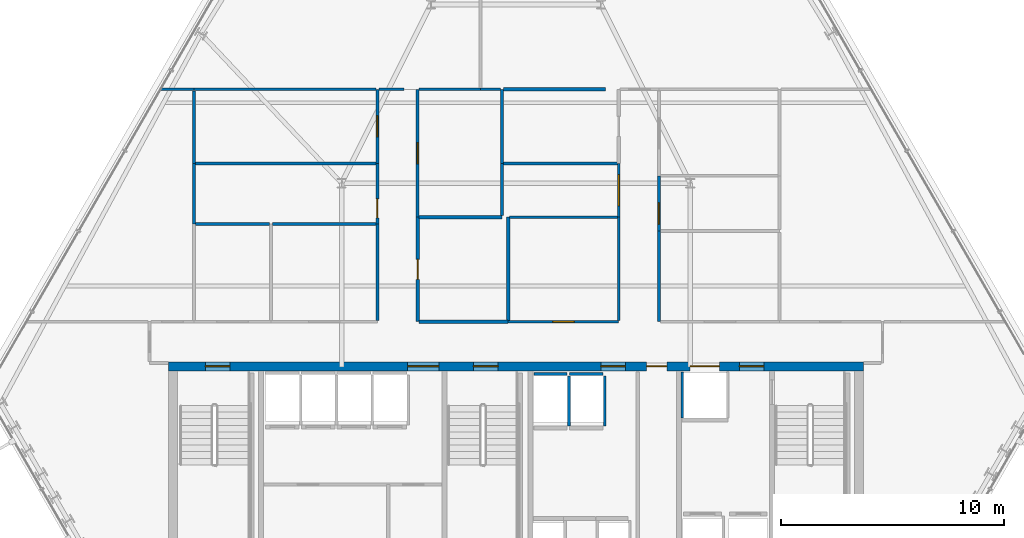
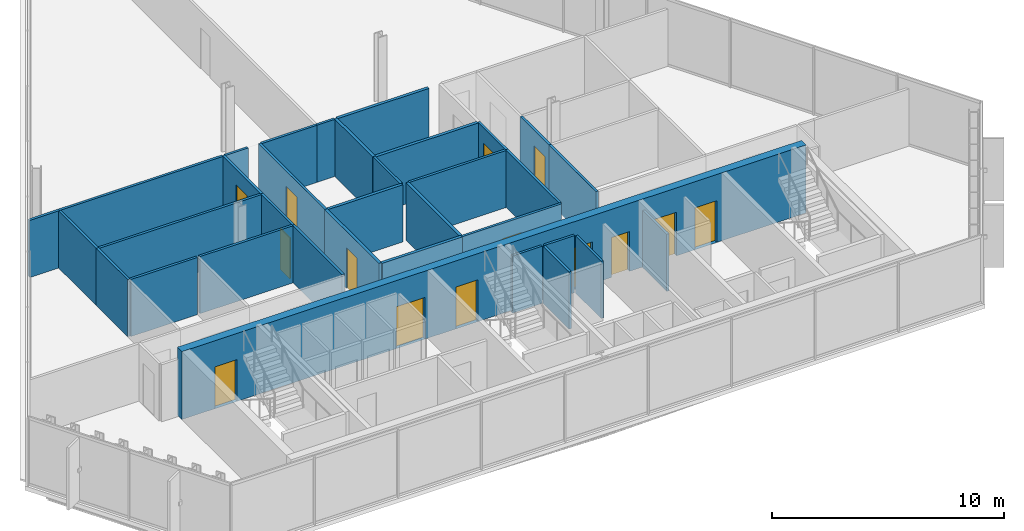
# One storey, part 29 of 35: 34 walls, 14 doors, 14 openings.
"""IFC4 building model written with IfcOpenShell, lengths in metres."""

from ifc_helpers import new_model, si_unit, direction, frame, frame_2d, origin, place, context, subcontext, project, spatial, rectangle, extrude, material, layer, layer_set, type_object, element, fill, save


model = new_model("IFC4")

# Units and contexts
model_context = context("Model", 3, precision=1e-05, world=origin(), true_north=direction((0.0, 1.0)))
body_context = subcontext(model_context, "Body", "Model", "MODEL_VIEW")
ifc_project = project(units=[si_unit("LENGTHUNIT", "METRE"), si_unit("AREAUNIT", "SQUARE_METRE"), si_unit("VOLUMEUNIT", "CUBIC_METRE"), si_unit("PLANEANGLEUNIT", "RADIAN"), si_unit("MASSUNIT", "GRAM", prefix="KILO")], contexts=[model_context])

# Site, building, storey
site_placement = place(None, origin())
site = spatial("IfcSite", under=ifc_project, at=site_placement, CompositionType="ELEMENT")
building_placement = place(site_placement, origin())
building = spatial("IfcBuilding", under=site, at=building_placement, Name="Ndaravel Arena Tower", CompositionType="ELEMENT")
storey_placement = place(building_placement, frame((0.0, 0.0, 172.60009765625)))
storey = spatial("IfcBuildingStorey", under=building, at=storey_placement, Name="L41", CompositionType="ELEMENT", Elevation=172.60009765625)

# Wall, openings, doors
ifc_material_1 = material(Name="Concrete C50/60", Category="concrete")
ifc_layer_1 = layer(ifc_material_1, 0.39990234375)
ifc_layer_set_1 = layer_set([ifc_layer_1], Name="Concrete C50/60")
wall_type_1 = type_object("IfcWallType", Name="WALL-CORE-400", PredefinedType="SOLIDWALL", material=ifc_layer_set_1)
wall_1_placement = place(storey_placement, frame((26.449951171875, 15.0, 0.0), z_axis=(0.0, 0.0, 1.0), x_axis=(1.0, 0.0, 0.0)))
wall_1 = element("IfcWall", 1, at=wall_1_placement, inside=storey, type_object=wall_type_1, Name="L41 Core North Shear Wall", PredefinedType="SOLIDWALL", context=body_context, shape_type="SweptSolid", body=[
    extrude(rectangle(XDim=31.10009765625, YDim=0.39990234375, at=frame_2d((15.550048828125, 0.0))), origin(), (0.0, 0.0, 1.0), 3.579833984375),
])
opening_1_placement = place(wall_1_placement, frame((1.64990234375, 0.0, 0.0)))
opening_1 = element("IfcOpeningElement", 2, at=opening_1_placement, cuts=wall_1, Name="Opening FD-01", PredefinedType="OPENING", context=body_context, shape_type="SweptSolid", body=[
    extrude(rectangle(XDim=1.10009765625, YDim=2.199951171875, at=frame_2d((0.550048828125, 1.10009765625))), frame((0.0, 0.199951171875, 0.0), z_axis=(0.0, -1.0, 0.0), x_axis=(1.0, 0.0, 0.0)), (0.0, 0.0, 1.0), 0.39990234375),
])
opening_2_placement = place(wall_1_placement, frame((13.64990234375, 0.0, 0.0)))
opening_2 = element("IfcOpeningElement", 3, at=opening_2_placement, cuts=wall_1, Name="Opening FD-01", PredefinedType="OPENING", context=body_context, shape_type="SweptSolid", body=[
    extrude(rectangle(XDim=1.10009765625, YDim=2.199951171875, at=frame_2d((0.550048828125, 1.10009765625))), frame((0.0, 0.199951171875, 0.0), z_axis=(0.0, -1.0, 0.0), x_axis=(1.0, 0.0, 0.0)), (0.0, 0.0, 1.0), 0.39990234375),
])
opening_3_placement = place(wall_1_placement, frame((25.550048828125, 0.0, 0.0)))
opening_3 = element("IfcOpeningElement", 4, at=opening_3_placement, cuts=wall_1, Name="Opening FD-01", PredefinedType="OPENING", context=body_context, shape_type="SweptSolid", body=[
    extrude(rectangle(XDim=1.10009765625, YDim=2.199951171875, at=frame_2d((0.550048828125, 1.10009765625))), frame((0.0, 0.199951171875, 0.0), z_axis=(0.0, -1.0, 0.0), x_axis=(1.0, 0.0, 0.0)), (0.0, 0.0, 1.0), 0.39990234375),
])
opening_4_placement = place(wall_1_placement, frame((10.699951171875, 0.0, 0.0)))
opening_4 = element("IfcOpeningElement", 5, at=opening_4_placement, cuts=wall_1, Name="Opening ID-02", PredefinedType="OPENING", context=body_context, shape_type="SweptSolid", body=[
    extrude(rectangle(XDim=1.39990234375, YDim=2.199951171875, at=frame_2d((0.699951171875, 1.10009765625))), frame((0.0, 0.199951171875, 0.0), z_axis=(0.0, -1.0, 0.0), x_axis=(1.0, 0.0, 0.0)), (0.0, 0.0, 1.0), 0.39990234375),
])
opening_5_placement = place(wall_1_placement, frame((19.35009765625, 0.0, 0.0)))
opening_5 = element("IfcOpeningElement", 6, at=opening_5_placement, cuts=wall_1, Name="Opening FD-01", PredefinedType="OPENING", context=body_context, shape_type="SweptSolid", body=[
    extrude(rectangle(XDim=1.10009765625, YDim=2.199951171875, at=frame_2d((0.550048828125, 1.10009765625))), frame((0.0, 0.199951171875, 0.0), z_axis=(0.0, -1.0, 0.0), x_axis=(1.0, 0.0, 0.0)), (0.0, 0.0, 1.0), 0.39990234375),
])
opening_6_placement = place(wall_1_placement, frame((21.39990234375, 0.0, 0.0)))
opening_6 = element("IfcOpeningElement", 7, at=opening_6_placement, cuts=wall_1, Name="Opening RD-01", PredefinedType="OPENING", context=body_context, shape_type="SweptSolid", body=[
    extrude(rectangle(XDim=0.89990234375, YDim=2.10009765625, at=frame_2d((0.449951171875, 1.050048828125))), frame((0.0, 0.199951171875, 0.0), z_axis=(0.0, -1.0, 0.0), x_axis=(1.0, 0.0, 0.0)), (0.0, 0.0, 1.0), 0.39990234375),
])
opening_7_placement = place(wall_1_placement, frame((23.35009765625, 0.0, 0.0)))
opening_7 = element("IfcOpeningElement", 8, at=opening_7_placement, cuts=wall_1, Name="Opening LD-02", PredefinedType="OPENING", context=body_context, shape_type="SweptSolid", body=[
    extrude(rectangle(XDim=1.300048828125, YDim=2.300048828125, at=frame_2d((0.64990234375, 1.14990234375))), frame((0.0, 0.199951171875, 0.0), z_axis=(0.0, -1.0, 0.0), x_axis=(1.0, 0.0, 0.0)), (0.0, 0.0, 1.0), 0.39990234375),
])
ifc_material_2 = material(Name="Steel S355", Category="steel")
door_type_1 = type_object("IfcDoorType", Name="DT-01-STAIR-1100", OperationType="SINGLE_SWING_LEFT", PredefinedType="DOOR", material=ifc_material_2)
door_1_placement = place(opening_1_placement, origin())
door_1 = element("IfcDoor", 9, at=door_1_placement, inside=storey, type_object=door_type_1, Name="L41 Exit Stair ST-1 Door", OperationType="SINGLE_SWING_RIGHT", OverallHeight=2.199951171875, OverallWidth=1.10009765625, PredefinedType="DOOR", context=body_context, shape_type="SweptSolid", body=[
    extrude(rectangle(XDim=1.10009765625, YDim=2.199951171875, at=frame_2d((0.550048828125, 1.10009765625))), frame((0.0, 0.02490234375, 0.0), z_axis=(0.0, -1.0, 0.0), x_axis=(1.0, 0.0, 0.0)), (0.0, 0.0, 1.0), 0.050048828125),
])
fill(opening_1, door_1)
door_2_placement = place(opening_2_placement, origin())
door_2 = element("IfcDoor", 10, at=door_2_placement, inside=storey, type_object=door_type_1, Name="L41 Exit Stair ST-2 Door", OperationType="SINGLE_SWING_LEFT", OverallHeight=2.199951171875, OverallWidth=1.10009765625, PredefinedType="DOOR", context=body_context, shape_type="SweptSolid", body=[
    extrude(rectangle(XDim=1.10009765625, YDim=2.199951171875, at=frame_2d((0.550048828125, 1.10009765625))), frame((0.0, 0.02490234375, 0.0), z_axis=(0.0, -1.0, 0.0), x_axis=(1.0, 0.0, 0.0)), (0.0, 0.0, 1.0), 0.050048828125),
])
fill(opening_2, door_2)
door_3_placement = place(opening_3_placement, origin())
door_3 = element("IfcDoor", 11, at=door_3_placement, inside=storey, type_object=door_type_1, Name="L41 Firefighting Lift Lobby Door", OperationType="SINGLE_SWING_RIGHT", OverallHeight=2.199951171875, OverallWidth=1.10009765625, PredefinedType="DOOR", context=body_context, shape_type="SweptSolid", body=[
    extrude(rectangle(XDim=1.10009765625, YDim=2.199951171875, at=frame_2d((0.550048828125, 1.10009765625))), frame((0.0, 0.02490234375, 0.0), z_axis=(0.0, -1.0, 0.0), x_axis=(1.0, 0.0, 0.0)), (0.0, 0.0, 1.0), 0.050048828125),
])
fill(opening_3, door_3)
door_4_placement = place(opening_5_placement, origin())
door_4 = element("IfcDoor", 12, at=door_4_placement, inside=storey, type_object=door_type_1, Name="L41 Express Lift Lobby Entry Door", OperationType="SINGLE_SWING_LEFT", OverallHeight=2.199951171875, OverallWidth=1.10009765625, PredefinedType="DOOR", context=body_context, shape_type="SweptSolid", body=[
    extrude(rectangle(XDim=1.10009765625, YDim=2.199951171875, at=frame_2d((0.550048828125, 1.10009765625))), frame((0.0, 0.02490234375, 0.0), z_axis=(0.0, -1.0, 0.0), x_axis=(1.0, 0.0, 0.0)), (0.0, 0.0, 1.0), 0.050048828125),
])
fill(opening_5, door_4)
ifc_material_3 = material(Name="Timber", Category="wood")
door_type_2 = type_object("IfcDoorType", Name="DT-04-SUITE-1400", OperationType="DOUBLE_DOOR_SINGLE_SWING", PredefinedType="DOOR", material=ifc_material_3)
door_5_placement = place(opening_4_placement, origin())
door_5 = element("IfcDoor", 13, at=door_5_placement, inside=storey, type_object=door_type_2, Name="L41 West Lift Lobby Entry Door", OperationType="DOUBLE_DOOR_SINGLE_SWING", OverallHeight=2.199951171875, OverallWidth=1.39990234375, PredefinedType="DOOR", context=body_context, shape_type="SweptSolid", body=[
    extrude(rectangle(XDim=1.39990234375, YDim=2.199951171875, at=frame_2d((0.699951171875, 1.10009765625))), frame((0.0, 0.02490234375, 0.0), z_axis=(0.0, -1.0, 0.0), x_axis=(1.0, 0.0, 0.0)), (0.0, 0.0, 1.0), 0.050048828125),
])
fill(opening_4, door_5)
ifc_material_4 = material(Name="Steel S355", Category="steel")
door_type_3 = type_object("IfcDoorType", Name="DT-07-SVLIFT-1300", OperationType="DOUBLE_DOOR_SLIDING", PredefinedType="DOOR", material=ifc_material_4)
door_6_placement = place(opening_7_placement, origin())
door_6 = element("IfcDoor", 14, at=door_6_placement, inside=storey, type_object=door_type_3, Name="L41 Lift SVL-1 Sliding Landing Door", OperationType="DOUBLE_DOOR_SLIDING", OverallHeight=2.300048828125, OverallWidth=1.300048828125, PredefinedType="DOOR", context=body_context, shape_type="SweptSolid", body=[
    extrude(rectangle(XDim=1.300048828125, YDim=2.300048828125, at=frame_2d((0.64990234375, 1.14990234375))), frame((0.0, 0.02490234375, 0.0), z_axis=(0.0, -1.0, 0.0), x_axis=(1.0, 0.0, 0.0)), (0.0, 0.0, 1.0), 0.050048828125),
])
fill(opening_7, door_6)
ifc_material_5 = material(Name="Steel S355", Category="steel")
door_type_4 = type_object("IfcDoorType", Name="DT-08-RISER-900", OperationType="SINGLE_SWING_LEFT", PredefinedType="DOOR", material=ifc_material_5)
door_7_placement = place(opening_6_placement, origin())
door_7 = element("IfcDoor", 15, at=door_7_placement, inside=storey, type_object=door_type_4, Name="L41 Core Service Riser North Door", OperationType="SINGLE_SWING_LEFT", OverallHeight=2.10009765625, OverallWidth=0.89990234375, PredefinedType="DOOR", context=body_context, shape_type="SweptSolid", body=[
    extrude(rectangle(XDim=0.89990234375, YDim=2.10009765625, at=frame_2d((0.449951171875, 1.050048828125))), frame((0.0, 0.02490234375, 0.0), z_axis=(0.0, -1.0, 0.0), x_axis=(1.0, 0.0, 0.0)), (0.0, 0.0, 1.0), 0.050048828125),
])
fill(opening_6, door_7)

# Wall
ifc_material_6 = material(Name="Gypsum", Category="gypsum")
ifc_layer_2 = layer(ifc_material_6, 0.125)
ifc_layer_set_2 = layer_set([ifc_layer_2], Name="Gypsum")
wall_type_2 = type_object("IfcWallType", Name="WALL-PART-125", PredefinedType="PARTITIONING", material=ifc_layer_set_2)
wall_2_placement = place(storey_placement, frame((35.800048828125, 17.06494140625, 0.0), z_axis=(0.0, 0.0, 1.0), x_axis=(0.0, 1.0, 0.0)))
element("IfcWall", 16, at=wall_2_placement, inside=storey, type_object=wall_type_2, Name="L41 Interior Partition 008", PredefinedType="PARTITIONING", context=body_context, shape_type="SweptSolid", body=[
    extrude(rectangle(XDim=4.302978515625, YDim=0.125, at=frame_2d((2.1513671875, 0.0))), origin(), (0.0, 0.0, 1.0), 3.010498046875),
])

# Wall, opening, door
wall_3_placement = place(storey_placement, frame((35.800048828125, 24.08251953125, 0.0), z_axis=(0.0, 0.0, 1.0), x_axis=(0.0, 1.0, 0.0)))
wall_3 = element("IfcWall", 17, at=wall_3_placement, inside=storey, type_object=wall_type_2, Name="L41 Interior Partition 010", PredefinedType="PARTITIONING", context=body_context, shape_type="SweptSolid", body=[
    extrude(rectangle(XDim=3.3173828125, YDim=0.125, at=frame_2d((1.65869140625, 0.0))), origin(), (0.0, 0.0, 1.0), 3.010498046875),
])
opening_8_placement = place(wall_3_placement, frame((1.183837890625, 0.0, 0.0)))
opening_8 = element("IfcOpeningElement", 18, at=opening_8_placement, cuts=wall_3, Name="Opening ID-01", PredefinedType="OPENING", context=body_context, shape_type="SweptSolid", body=[
    extrude(rectangle(XDim=0.949951171875, YDim=2.199951171875, at=frame_2d((0.47509765625, 1.10009765625))), frame((0.0, 0.0625, 0.0), z_axis=(0.0, -1.0, 0.0), x_axis=(1.0, 0.0, 0.0)), (0.0, 0.0, 1.0), 0.125),
])
ifc_material_7 = material(Name="Timber", Category="wood")
door_type_5 = type_object("IfcDoorType", Name="DT-03-OFFICE-950", OperationType="SINGLE_SWING_LEFT", PredefinedType="DOOR", material=ifc_material_7)
door_8_placement = place(opening_8_placement, origin())
door_8 = element("IfcDoor", 19, at=door_8_placement, inside=storey, type_object=door_type_5, Name="L41 Refreshment Kiosk 6 Door", OperationType="SINGLE_SWING_RIGHT", OverallHeight=2.199951171875, OverallWidth=0.949951171875, PredefinedType="DOOR", context=body_context, shape_type="SweptSolid", body=[
    extrude(rectangle(XDim=0.949951171875, YDim=2.199951171875, at=frame_2d((0.47509765625, 1.10009765625))), frame((0.0, 0.02490234375, 0.0), z_axis=(0.0, -1.0, 0.0), x_axis=(1.0, 0.0, 0.0)), (0.0, 0.0, 1.0), 0.050048828125),
])
fill(opening_8, door_8)

# Wall
wall_4_placement = place(storey_placement, frame((35.864990234375, 27.39990234375, 0.0), z_axis=(0.0, 0.0, 1.0), x_axis=(1.0, 0.0, 0.0)))
element("IfcWall", 20, at=wall_4_placement, inside=storey, type_object=wall_type_2, Name="L41 Interior Partition 011", PredefinedType="PARTITIONING", context=body_context, shape_type="SweptSolid", body=[
    extrude(rectangle(XDim=1.135009765625, YDim=0.125, at=frame_2d((0.5673828125, 0.0))), origin(), (0.0, 0.0, 1.0), 3.010498046875),
])

# Wall, opening, door
wall_5_placement = place(storey_placement, frame((37.60009765625, 27.39990234375, 0.0), z_axis=(0.0, 0.0, 1.0), x_axis=(0.0, -1.0, 0.0)))
wall_5 = element("IfcWall", 21, at=wall_5_placement, inside=storey, type_object=wall_type_2, Name="L41 Interior Partition 012", PredefinedType="PARTITIONING", context=body_context, shape_type="SweptSolid", body=[
    extrude(rectangle(XDim=5.719970703125, YDim=0.125, at=frame_2d((2.85986328125, 0.0))), origin(), (0.0, 0.0, 1.0), 3.010498046875),
])
opening_9_placement = place(wall_5_placement, frame((2.385009765625, 0.0, 0.0)))
opening_9 = element("IfcOpeningElement", 22, at=opening_9_placement, cuts=wall_5, Name="Opening ID-01", PredefinedType="OPENING", context=body_context, shape_type="SweptSolid", body=[
    extrude(rectangle(XDim=0.949951171875, YDim=2.199951171875, at=frame_2d((0.47509765625, 1.10009765625))), frame((0.0, 0.0625, 0.0), z_axis=(0.0, -1.0, 0.0), x_axis=(1.0, 0.0, 0.0)), (0.0, 0.0, 1.0), 0.125),
])
door_9_placement = place(opening_9_placement, origin())
door_9 = element("IfcDoor", 23, at=door_9_placement, inside=storey, type_object=door_type_5, Name="L41 Design Bookshop Boutique 5 Door", OperationType="SINGLE_SWING_RIGHT", OverallHeight=2.199951171875, OverallWidth=0.949951171875, PredefinedType="DOOR", context=body_context, shape_type="SweptSolid", body=[
    extrude(rectangle(XDim=0.949951171875, YDim=2.199951171875, at=frame_2d((0.47509765625, 1.10009765625))), frame((0.0, 0.02490234375, 0.0), z_axis=(0.0, -1.0, 0.0), x_axis=(1.0, 0.0, 0.0)), (0.0, 0.0, 1.0), 0.050048828125),
])
fill(opening_9, door_9)

wall_6_placement = place(storey_placement, frame((41.64990234375, 17.0, 0.0), z_axis=(0.0, 0.0, 1.0), x_axis=(1.0, 0.0, 0.0)))
wall_6 = element("IfcWall", 24, at=wall_6_placement, inside=storey, type_object=wall_type_2, Name="L41 Interior Partition 015", PredefinedType="PARTITIONING", context=body_context, shape_type="SweptSolid", body=[
    extrude(rectangle(XDim=4.9501953125, YDim=0.125, at=frame_2d((2.47509765625, 0.0))), origin(), (0.0, 0.0, 1.0), 3.010498046875),
])
opening_10_placement = place(wall_6_placement, frame((2.0, 0.0, 0.0)))
opening_10 = element("IfcOpeningElement", 25, at=opening_10_placement, cuts=wall_6, Name="Opening ID-01", PredefinedType="OPENING", context=body_context, shape_type="SweptSolid", body=[
    extrude(rectangle(XDim=0.949951171875, YDim=2.199951171875, at=frame_2d((0.47509765625, 1.10009765625))), frame((0.0, 0.0625, 0.0), z_axis=(0.0, -1.0, 0.0), x_axis=(1.0, 0.0, 0.0)), (0.0, 0.0, 1.0), 0.125),
])
door_10_placement = place(opening_10_placement, origin())
door_10 = element("IfcDoor", 26, at=door_10_placement, inside=storey, type_object=door_type_5, Name="L41 Project Seminar Room 3 Door", OperationType="SINGLE_SWING_RIGHT", OverallHeight=2.199951171875, OverallWidth=0.949951171875, PredefinedType="DOOR", context=body_context, shape_type="SweptSolid", body=[
    extrude(rectangle(XDim=0.949951171875, YDim=2.199951171875, at=frame_2d((0.47509765625, 1.10009765625))), frame((0.0, 0.02490234375, 0.0), z_axis=(0.0, -1.0, 0.0), x_axis=(1.0, 0.0, 0.0)), (0.0, 0.0, 1.0), 0.050048828125),
])
fill(opening_10, door_10)

# Wall
wall_7_placement = place(storey_placement, frame((46.60009765625, 17.06494140625, 0.0), z_axis=(0.0, 0.0, 1.0), x_axis=(0.0, 1.0, 0.0)))
element("IfcWall", 27, at=wall_7_placement, inside=storey, type_object=wall_type_2, Name="L41 Interior Partition 016", PredefinedType="PARTITIONING", context=body_context, shape_type="SweptSolid", body=[
    extrude(rectangle(XDim=4.614990234375, YDim=0.125, at=frame_2d((2.3076171875, 0.0))), origin(), (0.0, 0.0, 1.0), 3.010498046875),
])

# Wall, opening, door
wall_8_placement = place(storey_placement, frame((46.60009765625, 21.679931640625, 0.0), z_axis=(0.0, 0.0, 1.0), x_axis=(0.0, 1.0, 0.0)))
wall_8 = element("IfcWall", 28, at=wall_8_placement, inside=storey, type_object=wall_type_2, Name="L41 Interior Partition 017", PredefinedType="PARTITIONING", context=body_context, shape_type="SweptSolid", body=[
    extrude(rectangle(XDim=2.402587890625, YDim=0.125, at=frame_2d((1.201171875, 0.0))), origin(), (0.0, 0.0, 1.0), 3.010498046875),
])
opening_11_placement = place(wall_8_placement, frame((0.501220703125, 0.0, 0.0)))
opening_11 = element("IfcOpeningElement", 29, at=opening_11_placement, cuts=wall_8, Name="Opening ID-02", PredefinedType="OPENING", context=body_context, shape_type="SweptSolid", body=[
    extrude(rectangle(XDim=1.39990234375, YDim=2.199951171875, at=frame_2d((0.699951171875, 1.10009765625))), frame((0.0, 0.0625, 0.0), z_axis=(0.0, -1.0, 0.0), x_axis=(1.0, 0.0, 0.0)), (0.0, 0.0, 1.0), 0.125),
])
door_11_placement = place(opening_11_placement, origin())
door_11 = element("IfcDoor", 30, at=door_11_placement, inside=storey, type_object=door_type_2, Name="L41 Executive Boardroom 5 Door", OperationType="SINGLE_SWING_LEFT", OverallHeight=2.199951171875, OverallWidth=1.39990234375, PredefinedType="DOOR", context=body_context, shape_type="SweptSolid", body=[
    extrude(rectangle(XDim=1.39990234375, YDim=2.199951171875, at=frame_2d((0.699951171875, 1.10009765625))), frame((0.0, 0.02490234375, 0.0), z_axis=(0.0, -1.0, 0.0), x_axis=(1.0, 0.0, 0.0)), (0.0, 0.0, 1.0), 0.050048828125),
])
fill(opening_11, door_11)

wall_9_placement = place(storey_placement, frame((48.39990234375, 23.5302734375, 0.0), z_axis=(0.0, 0.0, 1.0), x_axis=(0.0, -1.0, 0.0)))
wall_9 = element("IfcWall", 31, at=wall_9_placement, inside=storey, type_object=wall_type_2, Name="L41 Interior Partition 021", PredefinedType="PARTITIONING", context=body_context, shape_type="SweptSolid", body=[
    extrude(rectangle(XDim=2.474365234375, YDim=0.125, at=frame_2d((1.2373046875, 0.0))), origin(), (0.0, 0.0, 1.0), 3.010498046875),
])
opening_12_placement = place(wall_9_placement, frame((1.212158203125, 0.0, 0.0)))
opening_12 = element("IfcOpeningElement", 32, at=opening_12_placement, cuts=wall_9, Name="Opening ID-01", PredefinedType="OPENING", context=body_context, shape_type="SweptSolid", body=[
    extrude(rectangle(XDim=0.949951171875, YDim=2.199951171875, at=frame_2d((0.47509765625, 1.10009765625))), frame((0.0, 0.0625, 0.0), z_axis=(0.0, -1.0, 0.0), x_axis=(1.0, 0.0, 0.0)), (0.0, 0.0, 1.0), 0.125),
])
door_12_placement = place(opening_12_placement, origin())
door_12 = element("IfcDoor", 33, at=door_12_placement, inside=storey, type_object=door_type_5, Name="L41 Training Classroom 4 Door", OperationType="SINGLE_SWING_LEFT", OverallHeight=2.199951171875, OverallWidth=0.949951171875, PredefinedType="DOOR", context=body_context, shape_type="SweptSolid", body=[
    extrude(rectangle(XDim=0.949951171875, YDim=2.199951171875, at=frame_2d((0.47509765625, 1.10009765625))), frame((0.0, 0.02490234375, 0.0), z_axis=(0.0, -1.0, 0.0), x_axis=(1.0, 0.0, 0.0)), (0.0, 0.0, 1.0), 0.050048828125),
])
fill(opening_12, door_12)

# Walls
wall_10_placement = place(storey_placement, frame((48.39990234375, 21.055908203125, 0.0), z_axis=(0.0, 0.0, 1.0), x_axis=(0.0, -1.0, 0.0)))
element("IfcWall", 34, at=wall_10_placement, inside=storey, type_object=wall_type_2, Name="L41 Interior Partition 022", PredefinedType="PARTITIONING", context=body_context, shape_type="SweptSolid", body=[
    extrude(rectangle(XDim=4.055908203125, YDim=0.125, at=frame_2d((2.02783203125, 0.0))), origin(), (0.0, 0.0, 1.0), 3.010498046875),
])
wall_11_placement = place(storey_placement, frame((27.6650390625, 21.367919921875, 0.0), z_axis=(0.0, 0.0, 1.0), x_axis=(1.0, 0.0, 0.0)))
element("IfcWall", 35, at=wall_11_placement, inside=storey, type_object=wall_type_2, Name="L41 Interior Partition 032", PredefinedType="PARTITIONING", context=body_context, shape_type="SweptSolid", body=[
    extrude(rectangle(XDim=3.31396484375, YDim=0.125, at=frame_2d((1.656982421875, 0.0))), origin(), (0.0, 0.0, 1.0), 3.010498046875),
])
wall_12_placement = place(storey_placement, frame((31.10888671875, 21.367919921875, 0.0), z_axis=(0.0, 0.0, 1.0), x_axis=(1.0, 0.0, 0.0)))
element("IfcWall", 36, at=wall_12_placement, inside=storey, type_object=wall_type_2, Name="L41 Interior Partition 033", PredefinedType="PARTITIONING", context=body_context, shape_type="SweptSolid", body=[
    extrude(rectangle(XDim=4.626220703125, YDim=0.125, at=frame_2d((2.31298828125, 0.0))), origin(), (0.0, 0.0, 1.0), 3.010498046875),
])
wall_13_placement = place(storey_placement, frame((41.715087890625, 21.679931640625, 0.0), z_axis=(0.0, 0.0, 1.0), x_axis=(1.0, 0.0, 0.0)))
element("IfcWall", 37, at=wall_13_placement, inside=storey, type_object=wall_type_2, Name="L41 Interior Partition 036", PredefinedType="PARTITIONING", context=body_context, shape_type="SweptSolid", body=[
    extrude(rectangle(XDim=4.81982421875, YDim=0.125, at=frame_2d((2.409912109375, 0.0))), origin(), (0.0, 0.0, 1.0), 3.010498046875),
])
wall_14_placement = place(storey_placement, frame((26.09912109375, 27.39990234375, 0.0), z_axis=(0.0, 0.0, 1.0), x_axis=(1.0, 0.0, 0.0)))
element("IfcWall", 38, at=wall_14_placement, inside=storey, type_object=wall_type_2, Name="L41 Interior Partition 037", PredefinedType="PARTITIONING", context=body_context, shape_type="SweptSolid", body=[
    extrude(rectangle(XDim=1.5009765625, YDim=0.125, at=frame_2d((0.75048828125, 0.0))), origin(), (0.0, 0.0, 1.0), 3.010498046875),
])
wall_15_placement = place(storey_placement, frame((27.60009765625, 27.3349609375, 0.0), z_axis=(0.0, 0.0, 1.0), x_axis=(0.0, -1.0, 0.0)))
element("IfcWall", 39, at=wall_15_placement, inside=storey, type_object=wall_type_2, Name="L41 Interior Partition 038", PredefinedType="PARTITIONING", context=body_context, shape_type="SweptSolid", body=[
    extrude(rectangle(XDim=3.25244140625, YDim=0.125, at=frame_2d((1.626220703125, 0.0))), origin(), (0.0, 0.0, 1.0), 3.010498046875),
])
wall_16_placement = place(storey_placement, frame((27.60009765625, 24.08251953125, 0.0), z_axis=(0.0, 0.0, 1.0), x_axis=(0.0, -1.0, 0.0)))
element("IfcWall", 40, at=wall_16_placement, inside=storey, type_object=wall_type_2, Name="L41 Interior Partition 039", PredefinedType="PARTITIONING", context=body_context, shape_type="SweptSolid", body=[
    extrude(rectangle(XDim=2.714599609375, YDim=0.125, at=frame_2d((1.357421875, 0.0))), origin(), (0.0, 0.0, 1.0), 3.010498046875),
])
wall_17_placement = place(storey_placement, frame((27.6650390625, 24.08251953125, 0.0), z_axis=(0.0, 0.0, 1.0), x_axis=(1.0, 0.0, 0.0)))
element("IfcWall", 41, at=wall_17_placement, inside=storey, type_object=wall_type_2, Name="L41 Interior Partition 044", PredefinedType="PARTITIONING", context=body_context, shape_type="SweptSolid", body=[
    extrude(rectangle(XDim=8.070068359375, YDim=0.125, at=frame_2d((4.03515625, 0.0))), origin(), (0.0, 0.0, 1.0), 3.010498046875),
])
wall_18_placement = place(storey_placement, frame((41.3798828125, 21.7451171875, 0.0), z_axis=(0.0, 0.0, 1.0), x_axis=(0.0, 1.0, 0.0)))
element("IfcWall", 42, at=wall_18_placement, inside=storey, type_object=wall_type_2, Name="L41 Interior Partition 045", PredefinedType="PARTITIONING", context=body_context, shape_type="SweptSolid", body=[
    extrude(rectangle(XDim=2.33740234375, YDim=0.125, at=frame_2d((1.168701171875, 0.0))), origin(), (0.0, 0.0, 1.0), 3.010498046875),
])
wall_19_placement = place(storey_placement, frame((37.6650390625, 27.39990234375, 0.0), z_axis=(0.0, 0.0, 1.0), x_axis=(1.0, 0.0, 0.0)))
element("IfcWall", 43, at=wall_19_placement, inside=storey, type_object=wall_type_2, Name="L41 Interior Partition 048", PredefinedType="PARTITIONING", context=body_context, shape_type="SweptSolid", body=[
    extrude(rectangle(XDim=2.744873046875, YDim=0.125, at=frame_2d((1.37255859375, 0.0))), origin(), (0.0, 0.0, 1.0), 3.010498046875),
])
wall_20_placement = place(storey_placement, frame((40.409912109375, 27.39990234375, 0.0), z_axis=(0.0, 0.0, 1.0), x_axis=(1.0, 0.0, 0.0)))
element("IfcWall", 44, at=wall_20_placement, inside=storey, type_object=wall_type_2, Name="L41 Interior Partition 049", PredefinedType="PARTITIONING", context=body_context, shape_type="SweptSolid", body=[
    extrude(rectangle(XDim=0.905029296875, YDim=0.125, at=frame_2d((0.45263671875, 0.0))), origin(), (0.0, 0.0, 1.0), 3.010498046875),
])
wall_21_placement = place(storey_placement, frame((27.60009765625, 27.39990234375, 0.0), z_axis=(0.0, 0.0, 1.0), x_axis=(1.0, 0.0, 0.0)))
element("IfcWall", 45, at=wall_21_placement, inside=storey, type_object=wall_type_2, Name="L41 Interior Partition 051", PredefinedType="PARTITIONING", context=body_context, shape_type="SweptSolid", body=[
    extrude(rectangle(XDim=8.135009765625, YDim=0.125, at=frame_2d((4.0673828125, 0.0))), origin(), (0.0, 0.0, 1.0), 3.010498046875),
])
ifc_material_8 = material(Name="Concrete C40/50", Category="concrete")
ifc_layer_3 = layer(ifc_material_8, 0.1201171875)
ifc_layer_set_3 = layer_set([ifc_layer_3], Name="Concrete C40/50")
wall_type_3 = type_object("IfcWallType", Name="WALL-SHAFT-120", PredefinedType="SOLIDWALL", material=ifc_layer_set_3)
wall_22_placement = place(storey_placement, frame((42.804931640625, 14.659912109375, 0.0), z_axis=(0.0, 0.0, 1.0), x_axis=(1.0, 0.0, 0.0)))
element("IfcWall", 46, at=wall_22_placement, inside=storey, type_object=wall_type_3, Name="L41 PL-OBS1 Shaft Rear Wall", PredefinedType="SOLIDWALL", context=body_context, shape_type="SweptSolid", body=[
    extrude(rectangle(XDim=1.489990234375, YDim=0.1201171875, at=frame_2d((0.7451171875, 0.0))), origin(), (0.0, 0.0, 1.0), 3.010498046875),
])
wall_23_placement = place(storey_placement, frame((44.375, 12.340087890625, 0.0), z_axis=(0.0, 0.0, 1.0), x_axis=(0.0, 1.0, 0.0)))
element("IfcWall", 47, at=wall_23_placement, inside=storey, type_object=wall_type_3, Name="L41 PL-OBS1 Shaft Side R Wall", PredefinedType="SOLIDWALL", context=body_context, shape_type="SweptSolid", body=[
    extrude(rectangle(XDim=2.22998046875, YDim=0.1201171875, at=frame_2d((1.114990234375, 0.0))), origin(), (0.0, 0.0, 1.0), 3.010498046875),
])
wall_24_placement = place(storey_placement, frame((44.405029296875, 14.659912109375, 0.0), z_axis=(0.0, 0.0, 1.0), x_axis=(1.0, 0.0, 0.0)))
element("IfcWall", 48, at=wall_24_placement, inside=storey, type_object=wall_type_3, Name="L41 PL-OBS2 Shaft Rear Wall", PredefinedType="SOLIDWALL", context=body_context, shape_type="SweptSolid", body=[
    extrude(rectangle(XDim=1.489990234375, YDim=0.1201171875, at=frame_2d((0.7451171875, 0.0))), origin(), (0.0, 0.0, 1.0), 3.010498046875),
])
wall_25_placement = place(storey_placement, frame((45.97509765625, 12.340087890625, 0.0), z_axis=(0.0, 0.0, 1.0), x_axis=(0.0, 1.0, 0.0)))
element("IfcWall", 49, at=wall_25_placement, inside=storey, type_object=wall_type_3, Name="L41 PL-OBS2 Shaft Side R Wall", PredefinedType="SOLIDWALL", context=body_context, shape_type="SweptSolid", body=[
    extrude(rectangle(XDim=2.22998046875, YDim=0.1201171875, at=frame_2d((1.114990234375, 0.0))), origin(), (0.0, 0.0, 1.0), 3.010498046875),
])
wall_26_placement = place(storey_placement, frame((49.43994140625, 12.68994140625, 0.0), z_axis=(0.0, 0.0, 1.0), x_axis=(0.0, 1.0, 0.0)))
element("IfcWall", 50, at=wall_26_placement, inside=storey, type_object=wall_type_3, Name="L41 SVL-1 Shaft W Wall", PredefinedType="SOLIDWALL", context=body_context, shape_type="SweptSolid", body=[
    extrude(rectangle(XDim=2.070068359375, YDim=0.1201171875, at=frame_2d((1.03515625, 0.0))), origin(), (0.0, 0.0, 1.0), 3.010498046875),
])

# Wall, opening, door
ifc_material_9 = material(Name="Masonry", Category="masonry")
ifc_layer_4 = layer(ifc_material_9, 0.14990234375)
ifc_layer_set_4 = layer_set([ifc_layer_4], Name="Masonry")
wall_type_4 = type_object("IfcWallType", Name="WALL-WET-150", PredefinedType="PARTITIONING", material=ifc_layer_set_4)
wall_27_placement = place(storey_placement, frame((35.800048828125, 21.367919921875, 0.0), z_axis=(0.0, 0.0, 1.0), x_axis=(0.0, 1.0, 0.0)))
wall_27 = element("IfcWall", 51, at=wall_27_placement, inside=storey, type_object=wall_type_4, Name="L41 Interior Partition 009", PredefinedType="PARTITIONING", context=body_context, shape_type="SweptSolid", body=[
    extrude(rectangle(XDim=2.714599609375, YDim=0.125, at=frame_2d((1.357421875, 0.0))), origin(), (0.0, 0.0, 1.0), 3.010498046875),
])
opening_13_placement = place(wall_27_placement, frame((0.2822265625, 0.0, 0.0)))
opening_13 = element("IfcOpeningElement", 52, at=opening_13_placement, cuts=wall_27, Name="Opening ID-03", PredefinedType="OPENING", context=body_context, shape_type="SweptSolid", body=[
    extrude(rectangle(XDim=0.85009765625, YDim=2.14990234375, at=frame_2d((0.425048828125, 1.074951171875))), frame((0.0, 0.0625, 0.0), z_axis=(0.0, -1.0, 0.0), x_axis=(1.0, 0.0, 0.0)), (0.0, 0.0, 1.0), 0.125),
])
ifc_material_10 = material(Name="Timber", Category="wood")
door_type_6 = type_object("IfcDoorType", Name="DT-12-SUB-850", OperationType="SINGLE_SWING_LEFT", PredefinedType="DOOR", material=ifc_material_10)
door_13_placement = place(opening_13_placement, origin())
door_13 = element("IfcDoor", 53, at=door_13_placement, inside=storey, type_object=door_type_6, Name="L41 Publication Shop 4 Door", OperationType="SINGLE_SWING_LEFT", OverallHeight=2.14990234375, OverallWidth=0.85009765625, PredefinedType="DOOR", context=body_context, shape_type="SweptSolid", body=[
    extrude(rectangle(XDim=0.85009765625, YDim=2.14990234375, at=frame_2d((0.425048828125, 1.074951171875))), frame((0.0, 0.02490234375, 0.0), z_axis=(0.0, -1.0, 0.0), x_axis=(1.0, 0.0, 0.0)), (0.0, 0.0, 1.0), 0.050048828125),
])
fill(opening_13, door_13)

wall_28_placement = place(storey_placement, frame((37.60009765625, 21.679931640625, 0.0), z_axis=(0.0, 0.0, 1.0), x_axis=(0.0, -1.0, 0.0)))
wall_28 = element("IfcWall", 54, at=wall_28_placement, inside=storey, type_object=wall_type_4, Name="L41 Interior Partition 013", PredefinedType="PARTITIONING", context=body_context, shape_type="SweptSolid", body=[
    extrude(rectangle(XDim=4.679931640625, YDim=0.14990234375, at=frame_2d((2.33984375, 0.0))), origin(), (0.0, 0.0, 1.0), 3.010498046875),
])
opening_14_placement = place(wall_28_placement, frame((1.889892578125, 0.0, 0.0)))
opening_14 = element("IfcOpeningElement", 55, at=opening_14_placement, cuts=wall_28, Name="Opening WD-01", PredefinedType="OPENING", context=body_context, shape_type="SweptSolid", body=[
    extrude(rectangle(XDim=0.89990234375, YDim=2.14990234375, at=frame_2d((0.449951171875, 1.074951171875))), frame((0.0, 0.074951171875, 0.0), z_axis=(0.0, -1.0, 0.0), x_axis=(1.0, 0.0, 0.0)), (0.0, 0.0, 1.0), 0.14990234375),
])
ifc_material_11 = material(Name="Timber", Category="wood")
door_type_7 = type_object("IfcDoorType", Name="DT-05-WC-900", OperationType="SINGLE_SWING_LEFT", PredefinedType="DOOR", material=ifc_material_11)
door_14_placement = place(opening_14_placement, origin())
door_14 = element("IfcDoor", 56, at=door_14_placement, inside=storey, type_object=door_type_7, Name="L41 Male Staff & Visitor Restroom Door", OperationType="SINGLE_SWING_LEFT", OverallHeight=2.14990234375, OverallWidth=0.89990234375, PredefinedType="DOOR", context=body_context, shape_type="SweptSolid", body=[
    extrude(rectangle(XDim=0.89990234375, YDim=2.14990234375, at=frame_2d((0.449951171875, 1.074951171875))), frame((0.0, 0.02490234375, 0.0), z_axis=(0.0, -1.0, 0.0), x_axis=(1.0, 0.0, 0.0)), (0.0, 0.0, 1.0), 0.050048828125),
])
fill(opening_14, door_14)

# Walls
wall_29_placement = place(storey_placement, frame((37.6650390625, 17.0, 0.0), z_axis=(0.0, 0.0, 1.0), x_axis=(1.0, 0.0, 0.0)))
element("IfcWall", 57, at=wall_29_placement, inside=storey, type_object=wall_type_4, Name="L41 Interior Partition 014", PredefinedType="PARTITIONING", context=body_context, shape_type="SweptSolid", body=[
    extrude(rectangle(XDim=3.98486328125, YDim=0.14990234375, at=frame_2d((1.992431640625, 0.0))), origin(), (0.0, 0.0, 1.0), 3.010498046875),
])
wall_30_placement = place(storey_placement, frame((41.64990234375, 21.679931640625, 0.0), z_axis=(0.0, 0.0, 1.0), x_axis=(0.0, -1.0, 0.0)))
element("IfcWall", 58, at=wall_30_placement, inside=storey, type_object=wall_type_4, Name="L41 Interior Partition 034", PredefinedType="PARTITIONING", context=body_context, shape_type="SweptSolid", body=[
    extrude(rectangle(XDim=4.614990234375, YDim=0.14990234375, at=frame_2d((2.3076171875, 0.0))), origin(), (0.0, 0.0, 1.0), 3.010498046875),
])
wall_31_placement = place(storey_placement, frame((37.6650390625, 21.679931640625, 0.0), z_axis=(0.0, 0.0, 1.0), x_axis=(1.0, 0.0, 0.0)))
element("IfcWall", 59, at=wall_31_placement, inside=storey, type_object=wall_type_4, Name="L41 Interior Partition 035", PredefinedType="PARTITIONING", context=body_context, shape_type="SweptSolid", body=[
    extrude(rectangle(XDim=3.71484375, YDim=0.14990234375, at=frame_2d((1.857421875, 0.0))), origin(), (0.0, 0.0, 1.0), 3.010498046875),
])
wall_32_placement = place(storey_placement, frame((41.445068359375, 24.08251953125, 0.0), z_axis=(0.0, 0.0, 1.0), x_axis=(1.0, 0.0, 0.0)))
element("IfcWall", 60, at=wall_32_placement, inside=storey, type_object=wall_type_4, Name="L41 Interior Partition 046", PredefinedType="PARTITIONING", context=body_context, shape_type="SweptSolid", body=[
    extrude(rectangle(XDim=5.08984375, YDim=0.14990234375, at=frame_2d((2.544921875, 0.0))), origin(), (0.0, 0.0, 1.0), 3.010498046875),
])
wall_33_placement = place(storey_placement, frame((41.3798828125, 27.39990234375, 0.0), z_axis=(0.0, 0.0, 1.0), x_axis=(0.0, -1.0, 0.0)))
element("IfcWall", 61, at=wall_33_placement, inside=storey, type_object=wall_type_4, Name="L41 Interior Partition 047", PredefinedType="PARTITIONING", context=body_context, shape_type="SweptSolid", body=[
    extrude(rectangle(XDim=3.3173828125, YDim=0.14990234375, at=frame_2d((1.65869140625, 0.0))), origin(), (0.0, 0.0, 1.0), 3.010498046875),
])
wall_34_placement = place(storey_placement, frame((41.445068359375, 27.39990234375, 0.0), z_axis=(0.0, 0.0, 1.0), x_axis=(1.0, 0.0, 0.0)))
element("IfcWall", 62, at=wall_34_placement, inside=storey, type_object=wall_type_4, Name="L41 Interior Partition 052", PredefinedType="PARTITIONING", context=body_context, shape_type="SweptSolid", body=[
    extrude(rectangle(XDim=4.554931640625, YDim=0.14990234375, at=frame_2d((2.27734375, 0.0))), origin(), (0.0, 0.0, 1.0), 3.010498046875),
])

save(model, "model.ifc")
